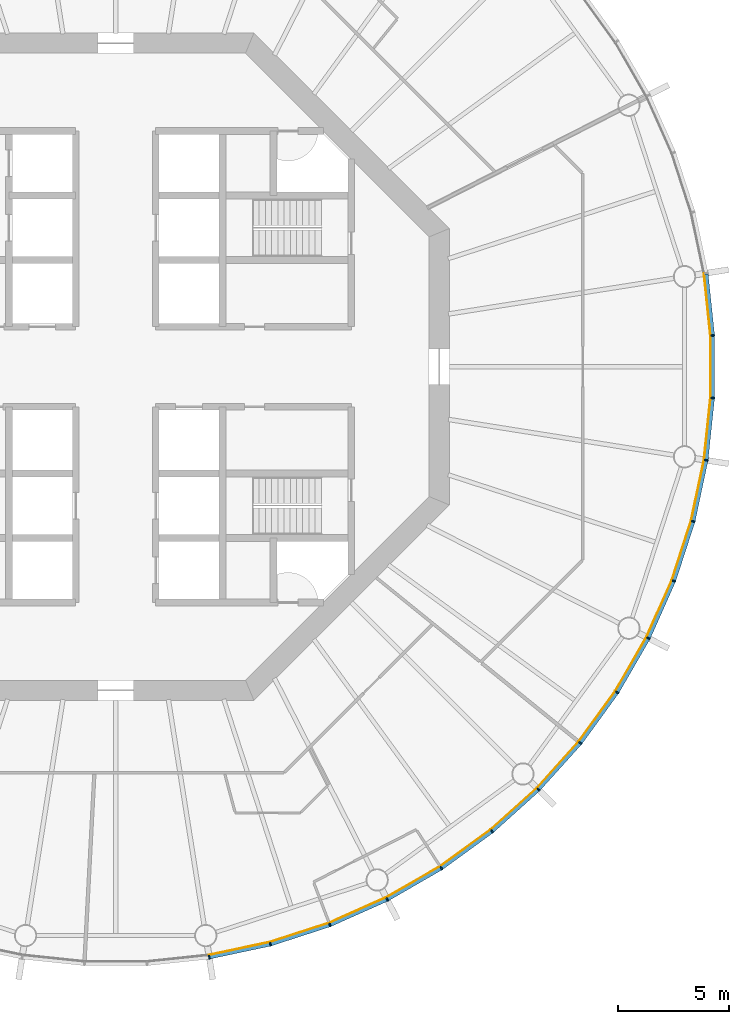
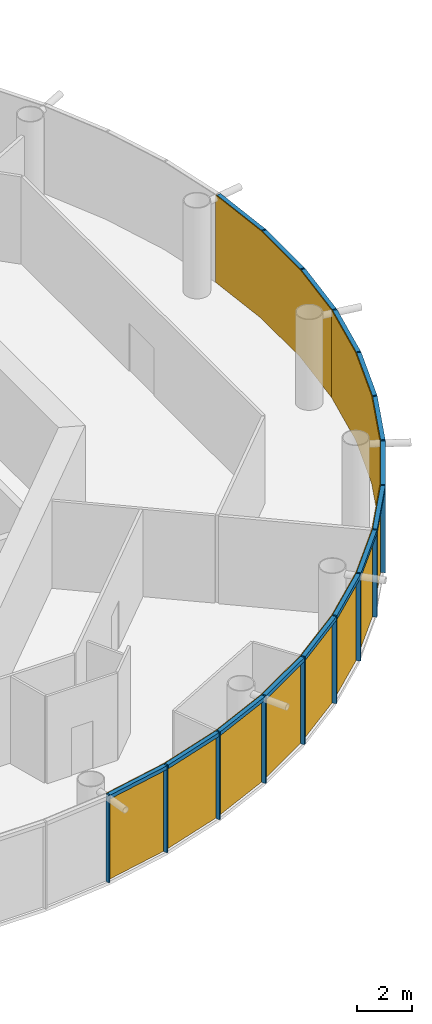
# One storey, part 9 of 13: 30 members, 5 curtain walls.
"""IFC4 building model written with IfcOpenShell, lengths in metres."""

from ifc_helpers import new_model, si_unit, direction, frame, origin, origin_2d, place, context, subcontext, project, spatial, polyline, rectangle, outline, extrude, material, layer, layer_set, material_profile, profile_set, type_object, element, aggregate, save


model = new_model("IFC4")

# Units and contexts
model_context = context("Model", 3, precision=1e-05, world=origin(), true_north=direction((0.0, 1.0)))
body_context = subcontext(model_context, "Body", "Model", "MODEL_VIEW")
ifc_project = project(units=[si_unit("LENGTHUNIT", "METRE"), si_unit("AREAUNIT", "SQUARE_METRE"), si_unit("VOLUMEUNIT", "CUBIC_METRE"), si_unit("PLANEANGLEUNIT", "RADIAN"), si_unit("MASSUNIT", "GRAM", prefix="KILO")], contexts=[model_context])

# Member
ifc_material_1 = material(Name="Anodised aluminium", Category="aluminium")
ifc_material_profile_1 = material_profile(ifc_material_1, rectangle(XDim=0.06005859375, YDim=0.169921875, at=origin_2d()), Name="Mullion 60 x 170 mm anodised aluminium")
ifc_profile_set_1 = profile_set([ifc_material_profile_1], Name="Anodised aluminium")
member_type_1 = type_object("IfcMemberType", Name="Mullion 60 x 170 mm anodised aluminium", PredefinedType="MULLION", material=ifc_profile_set_1)
site_placement = place(None, origin())
building_placement = place(site_placement, origin())
storey_placement = place(building_placement, frame((0.0, 0.0, 258.0)))
member_1_placement = place(storey_placement, frame((94.205810546875, 53.446044921875, 0.0), z_axis=(0.0, 0.0, 1.0), x_axis=(0.987688340595, 0.15643446504, 0.0)))
member_1 = element("IfcMember", 1, at=member_1_placement, type_object=member_type_1, Name="MULLION L59-45", PredefinedType="MULLION", context=body_context, shape_type="SweptSolid", body=[
    extrude(rectangle(XDim=0.06005859375, YDim=0.169921875, at=origin_2d()), origin(), (0.0, 0.0, 1.0), 3.85009765625),
])

member_2_placement = place(storey_placement, frame((96.958251953125, 54.031005859375, 0.0), z_axis=(0.0, 0.0, 1.0), x_axis=(0.965925826289, 0.258819045103, 0.0)))
member_2 = element("IfcMember", 2, at=member_2_placement, type_object=member_type_1, Name="MULLION L59-46", PredefinedType="MULLION", context=body_context, shape_type="SweptSolid", body=[
    extrude(rectangle(XDim=0.06005859375, YDim=0.169921875, at=origin_2d()), origin(), (0.0, 0.0, 1.0), 3.85009765625),
])

member_3_placement = place(storey_placement, frame((99.634765625, 54.900634765625, 0.0), z_axis=(0.0, 0.0, 1.0), x_axis=(0.933580426497, 0.358367949545, 0.0)))
member_3 = element("IfcMember", 3, at=member_3_placement, type_object=member_type_1, Name="MULLION L59-47", PredefinedType="MULLION", context=body_context, shape_type="SweptSolid", body=[
    extrude(rectangle(XDim=0.06005859375, YDim=0.169921875, at=origin_2d()), origin(), (0.0, 0.0, 1.0), 3.85009765625),
])

member_4_placement = place(storey_placement, frame((102.20556640625, 56.04541015625, 0.0), z_axis=(0.0, 0.0, 1.0), x_axis=(0.891006524188, 0.45399049974, 0.0)))
member_4 = element("IfcMember", 4, at=member_4_placement, type_object=member_type_1, Name="MULLION L59-48", PredefinedType="MULLION", context=body_context, shape_type="SweptSolid", body=[
    extrude(rectangle(XDim=0.06005859375, YDim=0.169921875, at=origin_2d()), origin(), (0.0, 0.0, 1.0), 3.85009765625),
])

member_5_placement = place(storey_placement, frame((104.642578125, 57.452392578125, 0.0), z_axis=(0.0, 0.0, 1.0), x_axis=(0.838670567945, 0.544639035015, 0.0)))
member_5 = element("IfcMember", 5, at=member_5_placement, type_object=member_type_1, Name="MULLION L59-49", PredefinedType="MULLION", context=body_context, shape_type="SweptSolid", body=[
    extrude(rectangle(XDim=0.06005859375, YDim=0.169921875, at=origin_2d()), origin(), (0.0, 0.0, 1.0), 3.85009765625),
])

member_6_placement = place(storey_placement, frame((106.919189453125, 59.1064453125, 0.0), z_axis=(0.0, 0.0, 1.0), x_axis=(0.777145961457, 0.62932039105, 0.0)))
member_6 = element("IfcMember", 6, at=member_6_placement, type_object=member_type_1, Name="MULLION L59-50", PredefinedType="MULLION", context=body_context, shape_type="SweptSolid", body=[
    extrude(rectangle(XDim=0.06005859375, YDim=0.169921875, at=origin_2d()), origin(), (0.0, 0.0, 1.0), 3.85009765625),
])

member_7_placement = place(storey_placement, frame((109.010498046875, 60.989501953125, 0.0), z_axis=(0.0, 0.0, 1.0), x_axis=(0.707106781187, 0.707106781187, 0.0)))
member_7 = element("IfcMember", 7, at=member_7_placement, type_object=member_type_1, Name="MULLION L59-51", PredefinedType="MULLION", context=body_context, shape_type="SweptSolid", body=[
    extrude(rectangle(XDim=0.06005859375, YDim=0.169921875, at=origin_2d()), origin(), (0.0, 0.0, 1.0), 3.85009765625),
])

member_8_placement = place(storey_placement, frame((110.8935546875, 63.080810546875, 0.0), z_axis=(0.0, 0.0, 1.0), x_axis=(0.62932039105, 0.777145961457, 0.0)))
member_8 = element("IfcMember", 8, at=member_8_placement, type_object=member_type_1, Name="MULLION L59-52", PredefinedType="MULLION", context=body_context, shape_type="SweptSolid", body=[
    extrude(rectangle(XDim=0.06005859375, YDim=0.169921875, at=origin_2d()), origin(), (0.0, 0.0, 1.0), 3.85009765625),
])

member_9_placement = place(storey_placement, frame((112.547607421875, 65.357421875, 0.0), z_axis=(0.0, 0.0, 1.0), x_axis=(0.544639035015, 0.838670567945, 0.0)))
member_9 = element("IfcMember", 9, at=member_9_placement, type_object=member_type_1, Name="MULLION L59-53", PredefinedType="MULLION", context=body_context, shape_type="SweptSolid", body=[
    extrude(rectangle(XDim=0.06005859375, YDim=0.169921875, at=origin_2d()), origin(), (0.0, 0.0, 1.0), 3.85009765625),
])

member_10_placement = place(storey_placement, frame((113.95458984375, 67.79443359375, 0.0), z_axis=(0.0, 0.0, 1.0), x_axis=(0.45399049974, 0.891006524188, 0.0)))
member_10 = element("IfcMember", 10, at=member_10_placement, type_object=member_type_1, Name="MULLION L59-54", PredefinedType="MULLION", context=body_context, shape_type="SweptSolid", body=[
    extrude(rectangle(XDim=0.06005859375, YDim=0.169921875, at=origin_2d()), origin(), (0.0, 0.0, 1.0), 3.85009765625),
])

member_11_placement = place(storey_placement, frame((115.099365234375, 70.365234375, 0.0), z_axis=(0.0, 0.0, 1.0), x_axis=(0.358367949545, 0.933580426497, 0.0)))
member_11 = element("IfcMember", 11, at=member_11_placement, type_object=member_type_1, Name="MULLION L59-55", PredefinedType="MULLION", context=body_context, shape_type="SweptSolid", body=[
    extrude(rectangle(XDim=0.06005859375, YDim=0.169921875, at=origin_2d()), origin(), (0.0, 0.0, 1.0), 3.85009765625),
])

member_12_placement = place(storey_placement, frame((115.968994140625, 73.041748046875, 0.0), z_axis=(0.0, 0.0, 1.0), x_axis=(0.258819045103, 0.965925826289, 0.0)))
member_12 = element("IfcMember", 12, at=member_12_placement, type_object=member_type_1, Name="MULLION L59-56", PredefinedType="MULLION", context=body_context, shape_type="SweptSolid", body=[
    extrude(rectangle(XDim=0.06005859375, YDim=0.169921875, at=origin_2d()), origin(), (0.0, 0.0, 1.0), 3.85009765625),
])

member_13_placement = place(storey_placement, frame((116.553955078125, 75.794189453125, 0.0), z_axis=(0.0, 0.0, 1.0), x_axis=(0.15643446504, 0.987688340595, 0.0)))
member_13 = element("IfcMember", 13, at=member_13_placement, type_object=member_type_1, Name="MULLION L59-57", PredefinedType="MULLION", context=body_context, shape_type="SweptSolid", body=[
    extrude(rectangle(XDim=0.06005859375, YDim=0.169921875, at=origin_2d()), origin(), (0.0, 0.0, 1.0), 3.85009765625),
])

member_14_placement = place(storey_placement, frame((116.84814453125, 78.593017578125, 0.0), z_axis=(0.0, 0.0, 1.0), x_axis=(0.052335956243, 0.998629534755, 0.0)))
member_14 = element("IfcMember", 14, at=member_14_placement, type_object=member_type_1, Name="MULLION L59-58", PredefinedType="MULLION", context=body_context, shape_type="SweptSolid", body=[
    extrude(rectangle(XDim=0.06005859375, YDim=0.169921875, at=origin_2d()), origin(), (0.0, 0.0, 1.0), 3.85009765625),
])

member_15_placement = place(storey_placement, frame((116.84814453125, 81.406982421875, 0.0), z_axis=(0.0, 0.0, 1.0), x_axis=(-0.052335956243, 0.998629534755, 0.0)))
member_15 = element("IfcMember", 15, at=member_15_placement, type_object=member_type_1, Name="MULLION L59-59", PredefinedType="MULLION", context=body_context, shape_type="SweptSolid", body=[
    extrude(rectangle(XDim=0.06005859375, YDim=0.169921875, at=origin_2d()), origin(), (0.0, 0.0, 1.0), 3.85009765625),
])

ifc_material_2 = material(Name="Anodised aluminium", Category="aluminium")
ifc_material_profile_2 = material_profile(ifc_material_2, rectangle(XDim=0.169921875, YDim=0.1650390625, at=origin_2d()), Name="Transom 165 x 170 mm anodised aluminium")
ifc_profile_set_2 = profile_set([ifc_material_profile_2], Name="Anodised aluminium")
member_type_2 = type_object("IfcMemberType", Name="Transom 165 x 170 mm anodised aluminium", PredefinedType="USERDEFINED", material=ifc_profile_set_2)
member_16_placement = place(storey_placement, frame((94.239501953125, 53.453125, 3.767578125), z_axis=(0.97814212115, 0.207937468562, 0.0), x_axis=(-0.207937468562, 0.97814212115, 0.0)))
member_16 = element("IfcMember", 16, at=member_16_placement, type_object=member_type_2, Name="TRANSOM L59-45", ObjectType="TRANSOM", PredefinedType="USERDEFINED", context=body_context, shape_type="SweptSolid", body=[
    extrude(rectangle(XDim=0.169921875, YDim=0.1650390625, at=origin_2d()), origin(), (0.0, 0.0, 1.0), 2.7451171875),
])

member_17_placement = place(storey_placement, frame((96.9912109375, 54.04150390625, 3.767578125), z_axis=(0.951048445774, 0.309041831781, 0.0), x_axis=(-0.309041831781, 0.951048445774, 0.0)))
member_17 = element("IfcMember", 17, at=member_17_placement, type_object=member_type_2, Name="TRANSOM L59-46", ObjectType="TRANSOM", PredefinedType="USERDEFINED", context=body_context, shape_type="SweptSolid", body=[
    extrude(rectangle(XDim=0.169921875, YDim=0.1650390625, at=origin_2d()), origin(), (0.0, 0.0, 1.0), 2.7451171875),
])

member_18_placement = place(storey_placement, frame((99.666259765625, 54.91455078125, 3.767578125), z_axis=(0.913525267704, 0.406781987391, 0.0), x_axis=(-0.406781987391, 0.913525267704, 0.0)))
member_18 = element("IfcMember", 18, at=member_18_placement, type_object=member_type_2, Name="TRANSOM L59-47", ObjectType="TRANSOM", PredefinedType="USERDEFINED", context=body_context, shape_type="SweptSolid", body=[
    extrude(rectangle(XDim=0.169921875, YDim=0.1650390625, at=origin_2d()), origin(), (0.0, 0.0, 1.0), 2.7451171875),
])

member_19_placement = place(storey_placement, frame((102.2353515625, 56.0625, 3.767578125), z_axis=(0.866034527326, 0.49998419723, 0.0), x_axis=(-0.49998419723, 0.866034527326, 0.0)))
member_19 = element("IfcMember", 19, at=member_19_placement, type_object=member_type_2, Name="TRANSOM L59-48", ObjectType="TRANSOM", PredefinedType="USERDEFINED", context=body_context, shape_type="SweptSolid", body=[
    extrude(rectangle(XDim=0.169921875, YDim=0.1650390625, at=origin_2d()), origin(), (0.0, 0.0, 1.0), 2.7451171875),
])

member_20_placement = place(storey_placement, frame((104.670654296875, 57.472412109375, 3.767578125), z_axis=(0.808959086484, 0.587864947412, 0.0), x_axis=(-0.587864947412, 0.808959086484, 0.0)))
member_20 = element("IfcMember", 20, at=member_20_placement, type_object=member_type_2, Name="TRANSOM L59-49", ObjectType="TRANSOM", PredefinedType="USERDEFINED", context=body_context, shape_type="SweptSolid", body=[
    extrude(rectangle(XDim=0.169921875, YDim=0.1650390625, at=origin_2d()), origin(), (0.0, 0.0, 1.0), 2.7451171875),
])

member_21_placement = place(storey_placement, frame((106.945068359375, 59.12939453125, 3.767578125), z_axis=(0.743134927907, 0.669141598561, 0.0), x_axis=(-0.669141598561, 0.743134927907, 0.0)))
member_21 = element("IfcMember", 21, at=member_21_placement, type_object=member_type_2, Name="TRANSOM L59-50", ObjectType="TRANSOM", PredefinedType="USERDEFINED", context=body_context, shape_type="SweptSolid", body=[
    extrude(rectangle(XDim=0.169921875, YDim=0.1650390625, at=origin_2d()), origin(), (0.0, 0.0, 1.0), 2.7451171875),
])

member_22_placement = place(storey_placement, frame((109.03369140625, 61.014892578125, 3.767578125), z_axis=(0.669141598561, 0.743134927907, 0.0), x_axis=(-0.743134927907, 0.669141598561, 0.0)))
member_22 = element("IfcMember", 22, at=member_22_placement, type_object=member_type_2, Name="TRANSOM L59-51", ObjectType="TRANSOM", PredefinedType="USERDEFINED", context=body_context, shape_type="SweptSolid", body=[
    extrude(rectangle(XDim=0.169921875, YDim=0.1650390625, at=origin_2d()), origin(), (0.0, 0.0, 1.0), 2.7451171875),
])

member_23_placement = place(storey_placement, frame((110.913818359375, 63.108642578125, 3.767578125), z_axis=(0.587864947412, 0.808959086484, 0.0), x_axis=(-0.808959086484, 0.587864947412, 0.0)))
member_23 = element("IfcMember", 23, at=member_23_placement, type_object=member_type_2, Name="TRANSOM L59-52", ObjectType="TRANSOM", PredefinedType="USERDEFINED", context=body_context, shape_type="SweptSolid", body=[
    extrude(rectangle(XDim=0.169921875, YDim=0.1650390625, at=origin_2d()), origin(), (0.0, 0.0, 1.0), 2.7451171875),
])

member_24_placement = place(storey_placement, frame((112.56494140625, 65.38720703125, 3.767578125), z_axis=(0.49998419723, 0.866034527326, 0.0), x_axis=(-0.866034527326, 0.49998419723, 0.0)))
member_24 = element("IfcMember", 24, at=member_24_placement, type_object=member_type_2, Name="TRANSOM L59-53", ObjectType="TRANSOM", PredefinedType="USERDEFINED", context=body_context, shape_type="SweptSolid", body=[
    extrude(rectangle(XDim=0.169921875, YDim=0.1650390625, at=origin_2d()), origin(), (0.0, 0.0, 1.0), 2.7451171875),
])

member_25_placement = place(storey_placement, frame((113.96875, 67.825927734375, 3.767578125), z_axis=(0.406781987391, 0.913525267704, 0.0), x_axis=(-0.913525267704, 0.406781987391, 0.0)))
member_25 = element("IfcMember", 25, at=member_25_placement, type_object=member_type_2, Name="TRANSOM L59-54", ObjectType="TRANSOM", PredefinedType="USERDEFINED", context=body_context, shape_type="SweptSolid", body=[
    extrude(rectangle(XDim=0.169921875, YDim=0.1650390625, at=origin_2d()), origin(), (0.0, 0.0, 1.0), 2.7451171875),
])

member_26_placement = place(storey_placement, frame((115.110107421875, 70.39794921875, 3.767578125), z_axis=(0.309041831781, 0.951048445774, 0.0), x_axis=(-0.951048445774, 0.309041831781, 0.0)))
member_26 = element("IfcMember", 26, at=member_26_placement, type_object=member_type_2, Name="TRANSOM L59-55", ObjectType="TRANSOM", PredefinedType="USERDEFINED", context=body_context, shape_type="SweptSolid", body=[
    extrude(rectangle(XDim=0.169921875, YDim=0.1650390625, at=origin_2d()), origin(), (0.0, 0.0, 1.0), 2.7451171875),
])

member_27_placement = place(storey_placement, frame((115.97607421875, 73.075439453125, 3.767578125), z_axis=(0.207937468562, 0.97814212115, 0.0), x_axis=(-0.97814212115, 0.207937468562, 0.0)))
member_27 = element("IfcMember", 27, at=member_27_placement, type_object=member_type_2, Name="TRANSOM L59-56", ObjectType="TRANSOM", PredefinedType="USERDEFINED", context=body_context, shape_type="SweptSolid", body=[
    extrude(rectangle(XDim=0.169921875, YDim=0.1650390625, at=origin_2d()), origin(), (0.0, 0.0, 1.0), 2.7451171875),
])

member_28_placement = place(storey_placement, frame((116.5576171875, 75.82861328125, 3.767578125), z_axis=(0.104592190102, 0.994515195344, 0.0), x_axis=(-0.994515195344, 0.104592190102, 0.0)))
member_28 = element("IfcMember", 28, at=member_28_placement, type_object=member_type_2, Name="TRANSOM L59-57", ObjectType="TRANSOM", PredefinedType="USERDEFINED", context=body_context, shape_type="SweptSolid", body=[
    extrude(rectangle(XDim=0.169921875, YDim=0.1650390625, at=origin_2d()), origin(), (0.0, 0.0, 1.0), 2.7451171875),
])

member_29_placement = place(storey_placement, frame((116.848388671875, 78.62744140625, 3.767578125), z_axis=(0.0, 1.0, 0.0), x_axis=(-1.0, 0.0, 0.0)))
member_29 = element("IfcMember", 29, at=member_29_placement, type_object=member_type_2, Name="TRANSOM L59-58", ObjectType="TRANSOM", PredefinedType="USERDEFINED", context=body_context, shape_type="SweptSolid", body=[
    extrude(rectangle(XDim=0.169921875, YDim=0.1650390625, at=origin_2d()), origin(), (0.0, 0.0, 1.0), 2.7451171875),
])

member_30_placement = place(storey_placement, frame((116.8447265625, 81.44140625, 3.767578125), z_axis=(-0.104592190102, 0.994515195344, 0.0), x_axis=(-0.994515195344, -0.104592190102, 0.0)))
member_30 = element("IfcMember", 30, at=member_30_placement, type_object=member_type_2, Name="TRANSOM L59-59", ObjectType="TRANSOM", PredefinedType="USERDEFINED", context=body_context, shape_type="SweptSolid", body=[
    extrude(rectangle(XDim=0.169921875, YDim=0.1650390625, at=origin_2d()), origin(), (0.0, 0.0, 1.0), 2.7451171875),
])

# Site, building, storey
site = spatial("IfcSite", under=ifc_project, at=site_placement, CompositionType="ELEMENT")
building = spatial("IfcBuilding", under=site, at=building_placement, Name="Entoto Ring Tower", CompositionType="ELEMENT")
storey = spatial("IfcBuildingStorey", under=building, at=storey_placement, Name="L59", CompositionType="ELEMENT", Elevation=258.0)

# Curtain wall
ifc_material_3 = material(Name="Clear low-iron glass", Category="glass")
ifc_layer = layer(ifc_material_3, 0.031982421875)
ifc_layer_set = layer_set([ifc_layer], Name="Clear low-iron glass")
curtain_wall_type = type_object("IfcCurtainWallType", Name="Curtain wall system CW4 glazing 32 mm", PredefinedType="NOTDEFINED", material=ifc_layer_set)
curtain_wall_1_placement = place(storey_placement, origin())
curtain_wall_1 = element("IfcCurtainWall", 31, at=curtain_wall_1_placement, inside=storey, type_object=curtain_wall_type, Name="CW4 L59-16", PredefinedType="NOTDEFINED", context=body_context, shape_type="SweptSolid", body=[
    extrude(outline(polyline([(94.1923828125, 53.530029296875), (96.936279296875, 54.11328125), (99.604248046875, 54.97998046875), (102.1669921875, 56.12109375), (102.15234375, 56.149658203125), (99.5927734375, 55.010009765625), (96.927978515625, 54.14404296875), (94.1875, 53.5615234375), (94.1923828125, 53.530029296875)])), origin(), (0.0, 0.0, 1.0), 3.85009765625),
])

aggregate(curtain_wall_1, [member_1, member_2, member_3, member_16, member_17, member_18])

curtain_wall_2_placement = place(storey_placement, origin())
curtain_wall_2 = element("IfcCurtainWall", 32, at=curtain_wall_2_placement, inside=storey, type_object=curtain_wall_type, Name="CW4 L59-17", PredefinedType="NOTDEFINED", context=body_context, shape_type="SweptSolid", body=[
    extrude(outline(polyline([(102.1669921875, 56.12109375), (104.596435546875, 57.523681640625), (106.86572265625, 59.172607421875), (108.950439453125, 61.049560546875), (108.927734375, 61.072265625), (106.845703125, 59.197509765625), (104.578857421875, 57.550537109375), (102.15234375, 56.149658203125), (102.1669921875, 56.12109375)])), origin(), (0.0, 0.0, 1.0), 3.85009765625),
])

aggregate(curtain_wall_2, [member_4, member_5, member_6, member_19, member_20, member_21])

curtain_wall_3_placement = place(storey_placement, origin())
curtain_wall_3 = element("IfcCurtainWall", 33, at=curtain_wall_3_placement, inside=storey, type_object=curtain_wall_type, Name="CW4 L59-18", PredefinedType="NOTDEFINED", context=body_context, shape_type="SweptSolid", body=[
    extrude(outline(polyline([(108.950439453125, 61.049560546875), (110.827392578125, 63.13427734375), (112.476318359375, 65.403564453125), (113.87890625, 67.8330078125), (113.850341796875, 67.84765625), (112.449462890625, 65.421142578125), (110.802490234375, 63.154296875), (108.927734375, 61.072265625), (108.950439453125, 61.049560546875)])), origin(), (0.0, 0.0, 1.0), 3.85009765625),
])

aggregate(curtain_wall_3, [member_7, member_8, member_9, member_22, member_23, member_24])

curtain_wall_4_placement = place(storey_placement, origin())
curtain_wall_4 = element("IfcCurtainWall", 34, at=curtain_wall_4_placement, inside=storey, type_object=curtain_wall_type, Name="CW4 L59-19", PredefinedType="NOTDEFINED", context=body_context, shape_type="SweptSolid", body=[
    extrude(outline(polyline([(113.87890625, 67.8330078125), (115.02001953125, 70.395751953125), (115.88671875, 73.063720703125), (116.469970703125, 75.8076171875), (116.4384765625, 75.8125), (115.85595703125, 73.072021484375), (114.989990234375, 70.4072265625), (113.850341796875, 67.84765625), (113.87890625, 67.8330078125)])), origin(), (0.0, 0.0, 1.0), 3.85009765625),
])

aggregate(curtain_wall_4, [member_10, member_11, member_12, member_25, member_26, member_27])

curtain_wall_5_placement = place(storey_placement, origin())
curtain_wall_5 = element("IfcCurtainWall", 35, at=curtain_wall_5_placement, inside=storey, type_object=curtain_wall_type, Name="CW4 L59-20", PredefinedType="NOTDEFINED", context=body_context, shape_type="SweptSolid", body=[
    extrude(outline(polyline([(116.469970703125, 75.8076171875), (116.76318359375, 78.597412109375), (116.76318359375, 81.402587890625), (116.469970703125, 84.1923828125), (116.4384765625, 84.1875), (116.731201171875, 81.40087890625), (116.731201171875, 78.59912109375), (116.4384765625, 75.8125), (116.469970703125, 75.8076171875)])), origin(), (0.0, 0.0, 1.0), 3.85009765625),
])

aggregate(curtain_wall_5, [member_13, member_14, member_15, member_28, member_29, member_30])

save(model, "model.ifc")
